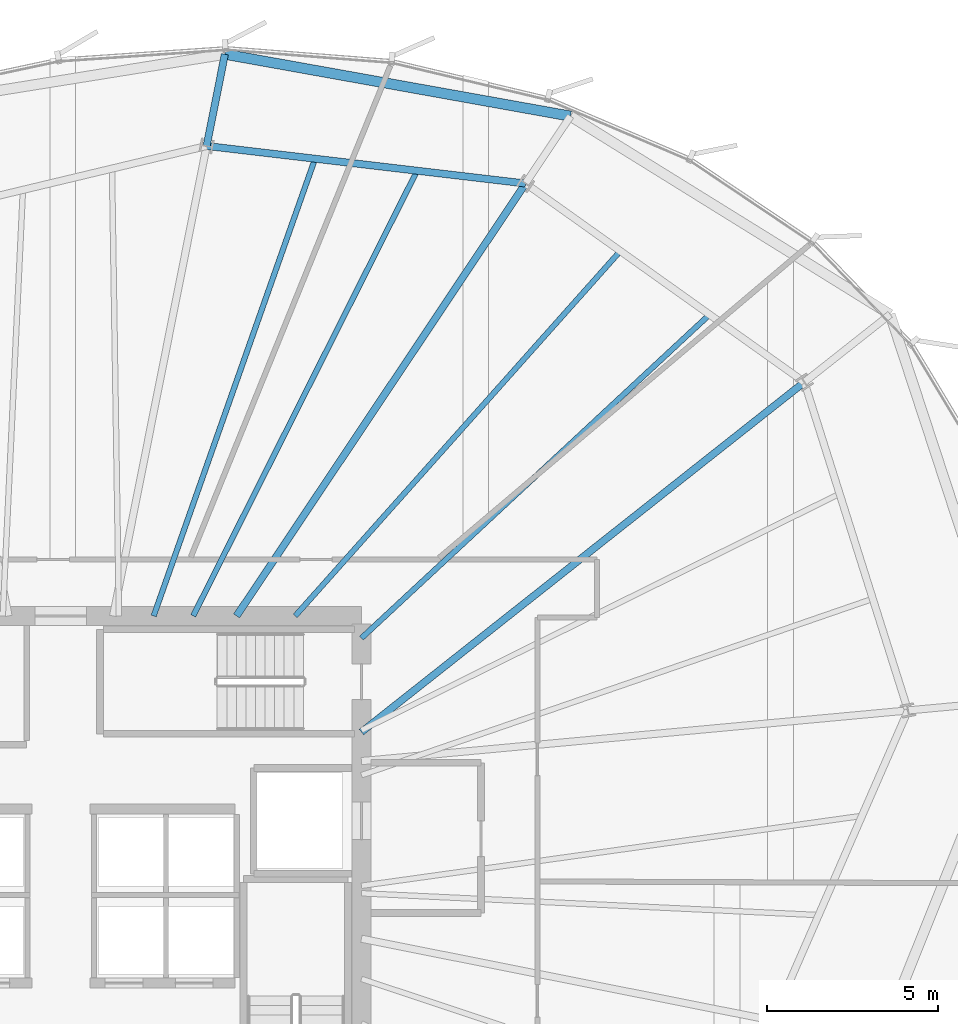
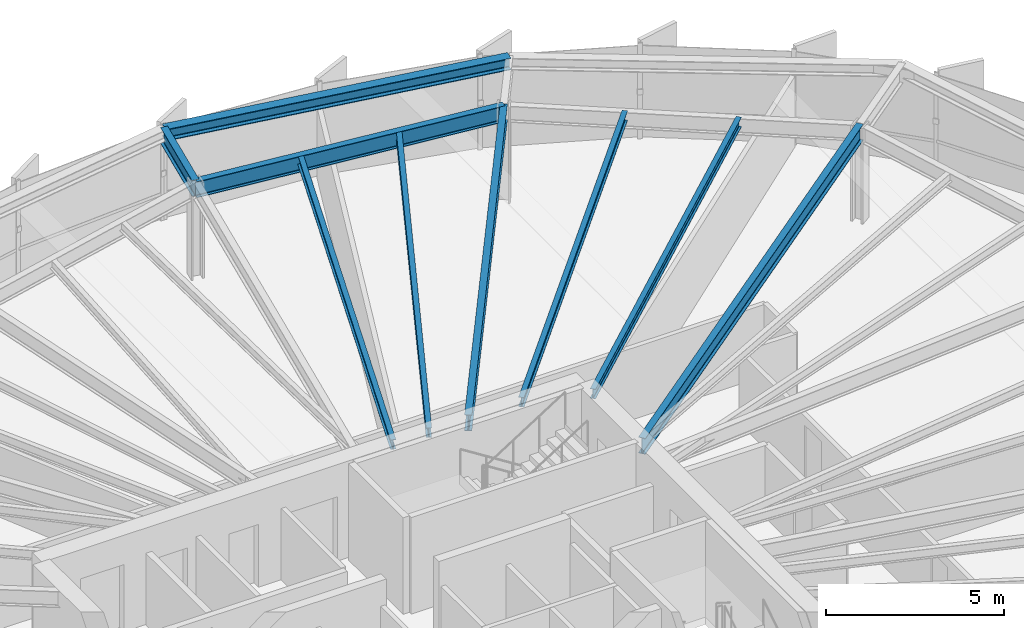
# One storey, part 24 of 37: 9 beams.
"""IFC4 building model written with IfcOpenShell, lengths in metres."""

from ifc_helpers import new_model, si_unit, direction, frame, origin, origin_2d, place, context, subcontext, project, spatial, i_section, extrude, source, transform, mapped, material, material_profile, profile_set, type_object, element, save


model = new_model("IFC4")

# Units and contexts
model_context = context("Model", 3, precision=1e-05, world=origin(), true_north=direction((0.0, 1.0)))
body_context = subcontext(model_context, "Body", "Model", "MODEL_VIEW")
ifc_project = project(units=[si_unit("LENGTHUNIT", "METRE"), si_unit("AREAUNIT", "SQUARE_METRE"), si_unit("VOLUMEUNIT", "CUBIC_METRE"), si_unit("PLANEANGLEUNIT", "RADIAN"), si_unit("MASSUNIT", "GRAM", prefix="KILO"), si_unit("THERMODYNAMICTEMPERATUREUNIT", "KELVIN")], contexts=[model_context])

# Site, building, storey
site_placement = place(None, origin())
site = spatial("IfcSite", under=ifc_project, at=site_placement, CompositionType="ELEMENT")
building_placement = place(site_placement, origin())
building = spatial("IfcBuilding", under=site, at=building_placement, Name="Kethvar Cultural Tower", CompositionType="ELEMENT")
storey_placement = place(building_placement, frame((0.0, 0.0, 132.35009765625)))
storey = spatial("IfcBuildingStorey", under=building, at=storey_placement, Name="L33", CompositionType="ELEMENT", Elevation=132.35009765625)

# Beams
ifc_material = material(Name="Steel S355J2", Category="steel")
ifc_material_profile_1 = material_profile(ifc_material, i_section(OverallWidth=0.2099609375, OverallDepth=0.550048828125, WebThickness=0.010986328125, FlangeThickness=0.01708984375, FilletRadius=0.02392578125, at=origin_2d()), Name="Steel S355J2 — IPE550")
ifc_profile_set_1 = profile_set([ifc_material_profile_1], Name="Steel S355J2 — IPE550")
beam_type_1 = type_object("IfcBeamType", Name="BM-IPE550", PredefinedType="BEAM", material=ifc_profile_set_1)
shared_shape_1 = source(origin(), body_context, "Body", "SweptSolid", [
    extrude(i_section(OverallWidth=0.2099609375, OverallDepth=0.550048828125, WebThickness=0.010986328125, FlangeThickness=0.01708984375, FilletRadius=0.02392578125, at=origin_2d()), origin(), (0.0, 0.0, 1.0), 16.527099609375),
])
beam_1_placement = place(storey_placement, frame((55.60009765625, 32.10009765625, 3.02294921875), z_axis=(0.784681939021, 0.619898584105, 0.0), x_axis=(-0.619898584105, 0.784681939021, 0.0)))
element("IfcBeam", 1, at=beam_1_placement, inside=storey, type_object=beam_type_1, Name="L33 Primary Radial Beam RB-02", PredefinedType="BEAM", context=body_context, shape_type="MappedRepresentation", body=[
    mapped(shared_shape_1, transform((0.0, 0.0, 0.0), scale=1.0)),
])
shared_shape_2 = source(origin(), body_context, "Body", "SweptSolid", [
    extrude(i_section(OverallWidth=0.2099609375, OverallDepth=0.550048828125, WebThickness=0.010986328125, FlangeThickness=0.01708984375, FilletRadius=0.02392578125, at=origin_2d()), origin(), (0.0, 0.0, 1.0), 15.22705078125),
])
beam_2_placement = place(storey_placement, frame((51.945068359375, 35.5, 3.02294921875), z_axis=(0.555569390778, 0.83147017507, 0.0), x_axis=(-0.83147017507, 0.555569390778, 0.0)))
element("IfcBeam", 2, at=beam_2_placement, inside=storey, type_object=beam_type_1, Name="L33 Primary Radial Beam RB-03", PredefinedType="BEAM", context=body_context, shape_type="MappedRepresentation", body=[
    mapped(shared_shape_2, transform((0.0, 0.0, 0.0), scale=1.0)),
])
shared_shape_3 = source(origin(), body_context, "Body", "SweptSolid", [
    extrude(i_section(OverallWidth=0.2099609375, OverallDepth=0.550048828125, WebThickness=0.010986328125, FlangeThickness=0.01708984375, FilletRadius=0.02392578125, at=origin_2d()), origin(), (0.0, 0.0, 1.0), 2.739013671875),
])
beam_3_placement = place(storey_placement, frame((51.068603515625, 49.25927734375, 3.02294921875), z_axis=(0.195019013324, 0.980799461889, 0.0), x_axis=(-0.980799461889, 0.195019013324, 0.0)))
element("IfcBeam", 3, at=beam_3_placement, inside=storey, type_object=beam_type_1, Name="L33 Perimeter Cantilever Beam RC-04", PredefinedType="BEAM", context=body_context, shape_type="MappedRepresentation", body=[
    mapped(shared_shape_3, transform((0.0, 0.0, 0.0), scale=1.0)),
])
ifc_material_profile_2 = material_profile(ifc_material, i_section(OverallWidth=0.159912109375, OverallDepth=0.330078125, WebThickness=0.007568359375, FlangeThickness=0.011474609375, FilletRadius=0.01806640625, at=origin_2d()), Name="Steel S355J2 — IPE330")
ifc_profile_set_2 = profile_set([ifc_material_profile_2], Name="Steel S355J2 — IPE330")
beam_type_2 = type_object("IfcBeamType", Name="BM-J330", PredefinedType="JOIST", material=ifc_profile_set_2)
shared_shape_4 = source(origin(), body_context, "Body", "SweptSolid", [
    extrude(i_section(OverallWidth=0.159912109375, OverallDepth=0.330078125, WebThickness=0.007568359375, FlangeThickness=0.011474609375, FilletRadius=0.01806640625, at=origin_2d()), origin(), (0.0, 0.0, 1.0), 13.91455078125),
])
beam_4_placement = place(storey_placement, frame((55.60009765625, 34.85009765625, 3.1328125), z_axis=(0.732512843328, 0.680753211054, 0.0), x_axis=(-0.680753211054, 0.732512843328, 0.0)))
element("IfcBeam", 4, at=beam_4_placement, inside=storey, type_object=beam_type_2, Name="L33 Composite Floor Joist J-02A", PredefinedType="JOIST", context=body_context, shape_type="MappedRepresentation", body=[
    mapped(shared_shape_4, transform((0.0, 0.0, 0.0), scale=1.0)),
])
shared_shape_5 = source(origin(), body_context, "Body", "SweptSolid", [
    extrude(i_section(OverallWidth=0.159912109375, OverallDepth=0.330078125, WebThickness=0.007568359375, FlangeThickness=0.011474609375, FilletRadius=0.01806640625, at=origin_2d()), origin(), (0.0, 0.0, 1.0), 14.3095703125),
])
beam_5_placement = place(storey_placement, frame((53.660888671875, 35.5, 3.1328125), z_axis=(0.665261381663, 0.746610537073, 0.0), x_axis=(-0.746610537073, 0.665261381663, 0.0)))
element("IfcBeam", 5, at=beam_5_placement, inside=storey, type_object=beam_type_2, Name="L33 Composite Floor Joist J-02B", PredefinedType="JOIST", context=body_context, shape_type="MappedRepresentation", body=[
    mapped(shared_shape_5, transform((0.0, 0.0, 0.0), scale=1.0)),
])
shared_shape_6 = source(origin(), body_context, "Body", "SweptSolid", [
    extrude(i_section(OverallWidth=0.2099609375, OverallDepth=0.550048828125, WebThickness=0.010986328125, FlangeThickness=0.01708984375, FilletRadius=0.02392578125, at=origin_2d()), origin(), (0.0, 0.0, 1.0), 9.400634765625),
])
beam_6_placement = place(storey_placement, frame((60.40478515625, 48.160888671875, 3.02294921875), z_axis=(-0.993150427046, 0.116842754407, 0.0), x_axis=(-0.116842754407, -0.993150427046, 0.0)))
element("IfcBeam", 6, at=beam_6_placement, inside=storey, type_object=beam_type_1, Name="L33 Column Ring Tie Beam CR-03", PredefinedType="BEAM", context=body_context, shape_type="MappedRepresentation", body=[
    mapped(shared_shape_6, transform((0.0, 0.0, 0.0), scale=1.0)),
])
shared_shape_7 = source(origin(), body_context, "Body", "SweptSolid", [
    extrude(i_section(OverallWidth=0.159912109375, OverallDepth=0.330078125, WebThickness=0.007568359375, FlangeThickness=0.011474609375, FilletRadius=0.01806640625, at=origin_2d()), origin(), (0.0, 0.0, 1.0), 14.590576171875),
])
beam_7_placement = place(storey_placement, frame((50.673583984375, 35.5, 3.1328125), z_axis=(0.449394228778, 0.893333547529, 0.0), x_axis=(-0.893333547529, 0.449394228778, 0.0)))
element("IfcBeam", 7, at=beam_7_placement, inside=storey, type_object=beam_type_2, Name="L33 Composite Floor Joist J-03A", PredefinedType="JOIST", context=body_context, shape_type="MappedRepresentation", body=[
    mapped(shared_shape_7, transform((0.0, 0.0, 0.0), scale=1.0)),
])
shared_shape_8 = source(origin(), body_context, "Body", "SweptSolid", [
    extrude(i_section(OverallWidth=0.159912109375, OverallDepth=0.330078125, WebThickness=0.007568359375, FlangeThickness=0.011474609375, FilletRadius=0.01806640625, at=origin_2d()), origin(), (0.0, 0.0, 1.0), 14.1953125),
])
beam_8_placement = place(storey_placement, frame((49.517822265625, 35.5, 3.1328125), z_axis=(0.332865098769, 0.942974456717, 0.0), x_axis=(-0.942974456717, 0.332865098769, 0.0)))
element("IfcBeam", 8, at=beam_8_placement, inside=storey, type_object=beam_type_2, Name="L33 Composite Floor Joist J-03B", PredefinedType="JOIST", context=body_context, shape_type="MappedRepresentation", body=[
    mapped(shared_shape_8, transform((0.0, 0.0, 0.0), scale=1.0)),
])
ifc_material_profile_3 = material_profile(ifc_material, i_section(OverallWidth=0.300048828125, OverallDepth=0.39990234375, WebThickness=0.013427734375, FlangeThickness=0.02392578125, FilletRadius=0.027099609375, at=origin_2d()), Name="Steel S355J2 — HEB400")
ifc_profile_set_3 = profile_set([ifc_material_profile_3], Name="Steel S355J2 — HEB400")
beam_type_3 = type_object("IfcBeamType", Name="BM-SP400", PredefinedType="SPANDREL", material=ifc_profile_set_3)
shared_shape_9 = source(origin(), body_context, "Body", "SweptSolid", [
    extrude(i_section(OverallWidth=0.300048828125, OverallDepth=0.39990234375, WebThickness=0.013427734375, FlangeThickness=0.02392578125, FilletRadius=0.027099609375, at=origin_2d()), origin(), (0.0, 0.0, 1.0), 10.2802734375),
])
beam_9_placement = place(storey_placement, frame((61.7216796875, 50.132080078125, 3.097900390625), z_axis=(-0.984313321627, 0.176429263068, 0.0), x_axis=(-0.176429263068, -0.984313321627, 0.0)))
element("IfcBeam", 9, at=beam_9_placement, inside=storey, type_object=beam_type_3, Name="L33 Perimeter Spandrel Beam SP-03", PredefinedType="SPANDREL", context=body_context, shape_type="MappedRepresentation", body=[
    mapped(shared_shape_9, transform((0.0, 0.0, 0.0), scale=1.0)),
])

save(model, "model.ifc")
